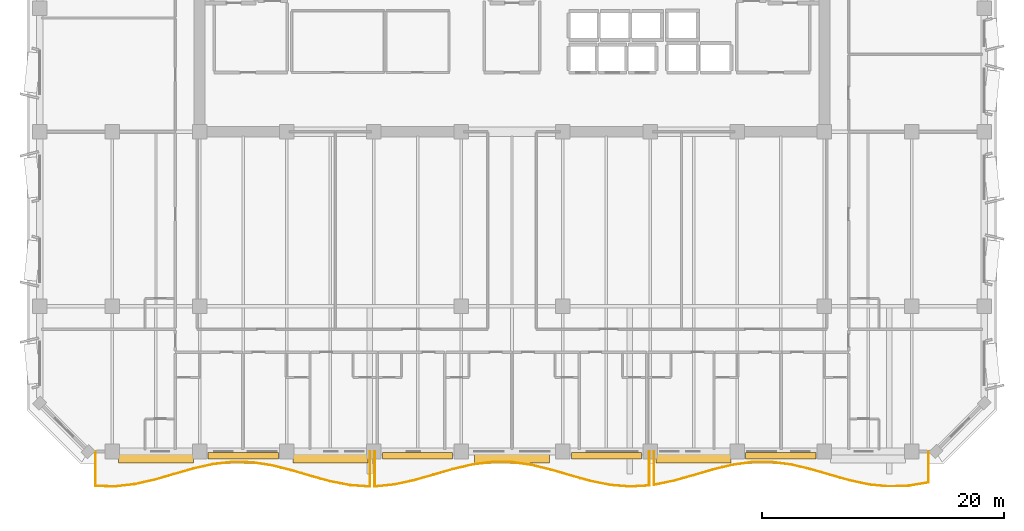
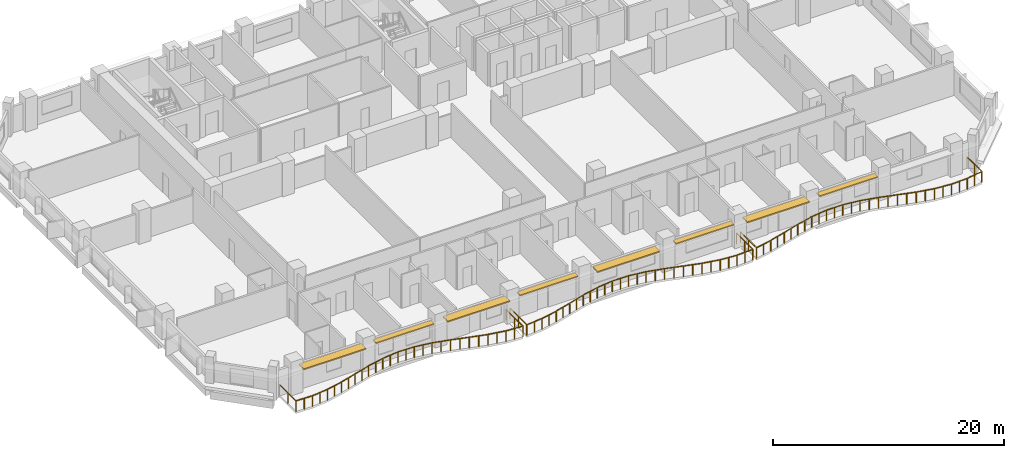
# One storey, part 11 of 15: 8 shading devices, 3 railings.
"""IFC4 building model written with IfcOpenShell, lengths in metres."""

from ifc_helpers import new_model, si_unit, direction, frame, origin, origin_2d, place, context, subcontext, project, spatial, rectangle, extrude, material, layer, layer_set, type_object, element, save


model = new_model("IFC4")

# Units and contexts
model_context = context("Model", 3, precision=1e-05, world=origin(), true_north=direction((0.0, 1.0)))
body_context = subcontext(model_context, "Body", "Model", "MODEL_VIEW")
ifc_project = project(units=[si_unit("LENGTHUNIT", "METRE"), si_unit("AREAUNIT", "SQUARE_METRE"), si_unit("VOLUMEUNIT", "CUBIC_METRE"), si_unit("PLANEANGLEUNIT", "RADIAN"), si_unit("MASSUNIT", "GRAM", prefix="KILO")], contexts=[model_context])

# Site, building, storey
site_placement = place(None, origin())
site = spatial("IfcSite", under=ifc_project, at=site_placement, CompositionType="ELEMENT")
building_placement = place(site_placement, origin())
building = spatial("IfcBuilding", under=site, at=building_placement, Name="Kaelvorn Grand Hotel", CompositionType="ELEMENT")
storey_placement = place(building_placement, frame((0.0, 0.0, 146.75)))
storey = spatial("IfcBuildingStorey", under=building, at=storey_placement, Name="L35", CompositionType="ELEMENT", Elevation=146.75)

# Railings
ifc_material_1 = material(Name="Stainless Steel", Category="steel")
railing_type = type_object("IfcRailingType", Name="RL-BALC-1150", PredefinedType="BALUSTRADE", material=ifc_material_1)
railing_1_placement = place(storey_placement, frame((7.60009765625, 3.0, 0.0)))
element("IfcRailing", 1, at=railing_1_placement, inside=storey, type_object=railing_type, Name="L35 Scalloped Wave Balcony Balustrade GR1-1", PredefinedType="BALUSTRADE", context=body_context, shape_type="SweptSolid", body=[
    extrude(rectangle(XDim=0.048095703125, YDim=0.048095703125, at=origin_2d()), frame((0.0, 0.0, 1.1259765625), z_axis=(0.0, -1.0, 0.0), x_axis=(1.0, 0.0, 0.0)), (0.0, 0.0, 1.0), 2.849853515625),
    extrude(rectangle(XDim=0.048095703125, YDim=0.048095703125, at=origin_2d()), frame((0.0, -2.849853515625, 1.1259765625), z_axis=(0.999730426156, -0.023217989086, 0.0), x_axis=(0.023217989086, 0.999730426156, 0.0)), (0.0, 0.0, 1.0), 1.619384765625),
    extrude(rectangle(XDim=0.048095703125, YDim=0.048095703125, at=origin_2d()), frame((1.618896484375, -2.887451171875, 1.1259765625), z_axis=(0.993682951912, 0.112223843634, 0.0), x_axis=(-0.112223843634, 0.993682951912, 0.0)), (0.0, 0.0, 1.0), 1.62939453125),
    extrude(rectangle(XDim=0.048095703125, YDim=0.048095703125, at=origin_2d()), frame((3.238037109375, -2.70458984375, 1.1259765625), z_axis=(0.975703414812, 0.219095518723, 0.0), x_axis=(-0.219095518723, 0.975703414812, 0.0)), (0.0, 0.0, 1.0), 1.6591796875),
    extrude(rectangle(XDim=0.048095703125, YDim=0.048095703125, at=origin_2d()), frame((4.85693359375, -2.341064453125, 1.1259765625), z_axis=(0.961173148549, 0.275945970271, 0.0), x_axis=(-0.275945970271, 0.961173148549, 0.0)), (0.0, 0.0, 1.0), 1.6845703125),
    extrude(rectangle(XDim=0.048095703125, YDim=0.048095703125, at=origin_2d()), frame((6.47607421875, -1.876220703125, 1.1259765625), z_axis=(0.961096237506, 0.276213725676, 0.0), x_axis=(-0.276213725676, 0.961096237506, 0.0)), (0.0, 0.0, 1.0), 1.6845703125),
    extrude(rectangle(XDim=0.048095703125, YDim=0.048095703125, at=origin_2d()), frame((8.09521484375, -1.410888671875, 1.1259765625), z_axis=(0.975640468592, 0.219375650531, 0.0), x_axis=(-0.219375650531, 0.975640468592, 0.0)), (0.0, 0.0, 1.0), 1.659423828125),
    extrude(rectangle(XDim=0.048095703125, YDim=0.048095703125, at=origin_2d()), frame((9.714111328125, -1.046875, 1.1259765625), z_axis=(0.993615946407, 0.112815562069, 0.0), x_axis=(-0.112815562069, 0.993615946407, 0.0)), (0.0, 0.0, 1.0), 1.629638671875),
    extrude(rectangle(XDim=0.048095703125, YDim=0.048095703125, at=origin_2d()), frame((11.333251953125, -0.863037109375, 1.1259765625), z_axis=(0.999747716334, -0.022461159489, 0.0), x_axis=(0.022461159489, 0.999747716334, 0.0)), (0.0, 0.0, 1.0), 1.61962890625),
    extrude(rectangle(XDim=0.048095703125, YDim=0.048095703125, at=origin_2d()), frame((12.952392578125, -0.8994140625, 1.1259765625), z_axis=(0.988375143725, -0.152034783079, 0.0), x_axis=(0.152034783079, 0.988375143725, 0.0)), (0.0, 0.0, 1.0), 1.637939453125),
    extrude(rectangle(XDim=0.048095703125, YDim=0.048095703125, at=origin_2d()), frame((14.5712890625, -1.1484375, 1.1259765625), z_axis=(0.969797453299, -0.243911663465, 0.0), x_axis=(0.243911663465, 0.969797453299, 0.0)), (0.0, 0.0, 1.0), 1.669677734375),
    extrude(rectangle(XDim=0.048095703125, YDim=0.048095703125, at=origin_2d()), frame((16.1904296875, -1.5556640625, 1.1259765625), z_axis=(0.959298669037, -0.28239345528, 0.0), x_axis=(0.28239345528, 0.959298669037, 0.0)), (0.0, 0.0, 1.0), 1.6875),
    extrude(rectangle(XDim=0.048095703125, YDim=0.048095703125, at=origin_2d()), frame((17.809326171875, -2.0322265625, 1.1259765625), z_axis=(0.964642881797, -0.26356044961, 0.0), x_axis=(0.26356044961, 0.964642881797, 0.0)), (0.0, 0.0, 1.0), 1.678466796875),
    extrude(rectangle(XDim=0.048095703125, YDim=0.048095703125, at=origin_2d()), frame((19.428466796875, -2.474609375, 1.1259765625), z_axis=(0.981934563665, -0.189220804036, 0.0), x_axis=(0.189220804036, 0.981934563665, 0.0)), (0.0, 0.0, 1.0), 1.64892578125),
    extrude(rectangle(XDim=0.048095703125, YDim=0.048095703125, at=origin_2d()), frame((21.047607421875, -2.78662109375, 1.1259765625), z_axis=(0.997560748311, -0.069803677758, 0.0), x_axis=(0.069803677758, 0.997560748311, 0.0)), (0.0, 0.0, 1.0), 1.622802734375),
    extrude(rectangle(XDim=0.048095703125, YDim=0.048095703125, at=origin_2d()), frame((22.66650390625, -2.89990234375, 1.1259765625), z_axis=(0.0, 1.0, 0.0), x_axis=(-1.0, 0.0, 0.0)), (0.0, 0.0, 1.0), 2.89990234375),
    extrude(rectangle(XDim=0.0419921875, YDim=0.0419921875, at=origin_2d()), origin(), (0.0, 0.0, 1.0), 1.101806640625),
    extrude(rectangle(XDim=0.0419921875, YDim=0.0419921875, at=origin_2d()), frame((0.0, -1.4248046875, 0.0)), (0.0, 0.0, 1.0), 1.101806640625),
    extrude(rectangle(XDim=0.0419921875, YDim=0.0419921875, at=origin_2d()), frame((0.0, -2.849853515625, 0.0)), (0.0, 0.0, 1.0), 1.101806640625),
    extrude(rectangle(XDim=0.0419921875, YDim=0.0419921875, at=origin_2d()), frame((0.8095703125, -2.86865234375, 0.0)), (0.0, 0.0, 1.0), 1.101806640625),
    extrude(rectangle(XDim=0.0419921875, YDim=0.0419921875, at=origin_2d()), frame((1.618896484375, -2.887451171875, 0.0)), (0.0, 0.0, 1.0), 1.101806640625),
    extrude(rectangle(XDim=0.0419921875, YDim=0.0419921875, at=origin_2d()), frame((2.428466796875, -2.7958984375, 0.0)), (0.0, 0.0, 1.0), 1.101806640625),
    extrude(rectangle(XDim=0.0419921875, YDim=0.0419921875, at=origin_2d()), frame((3.238037109375, -2.70458984375, 0.0)), (0.0, 0.0, 1.0), 1.101806640625),
    extrude(rectangle(XDim=0.0419921875, YDim=0.0419921875, at=origin_2d()), frame((4.04736328125, -2.52294921875, 0.0)), (0.0, 0.0, 1.0), 1.101806640625),
    extrude(rectangle(XDim=0.0419921875, YDim=0.0419921875, at=origin_2d()), frame((4.85693359375, -2.341064453125, 0.0)), (0.0, 0.0, 1.0), 1.101806640625),
    extrude(rectangle(XDim=0.0419921875, YDim=0.0419921875, at=origin_2d()), frame((5.66650390625, -2.108642578125, 0.0)), (0.0, 0.0, 1.0), 1.101806640625),
    extrude(rectangle(XDim=0.0419921875, YDim=0.0419921875, at=origin_2d()), frame((6.47607421875, -1.876220703125, 0.0)), (0.0, 0.0, 1.0), 1.101806640625),
    extrude(rectangle(XDim=0.0419921875, YDim=0.0419921875, at=origin_2d()), frame((7.28564453125, -1.6435546875, 0.0)), (0.0, 0.0, 1.0), 1.101806640625),
    extrude(rectangle(XDim=0.0419921875, YDim=0.0419921875, at=origin_2d()), frame((8.09521484375, -1.410888671875, 0.0)), (0.0, 0.0, 1.0), 1.101806640625),
    extrude(rectangle(XDim=0.0419921875, YDim=0.0419921875, at=origin_2d()), frame((8.90478515625, -1.22900390625, 0.0)), (0.0, 0.0, 1.0), 1.101806640625),
    extrude(rectangle(XDim=0.0419921875, YDim=0.0419921875, at=origin_2d()), frame((9.714111328125, -1.046875, 0.0)), (0.0, 0.0, 1.0), 1.101806640625),
    extrude(rectangle(XDim=0.0419921875, YDim=0.0419921875, at=origin_2d()), frame((10.523681640625, -0.955078125, 0.0)), (0.0, 0.0, 1.0), 1.101806640625),
    extrude(rectangle(XDim=0.0419921875, YDim=0.0419921875, at=origin_2d()), frame((11.333251953125, -0.863037109375, 0.0)), (0.0, 0.0, 1.0), 1.101806640625),
    extrude(rectangle(XDim=0.0419921875, YDim=0.0419921875, at=origin_2d()), frame((12.142822265625, -0.88134765625, 0.0)), (0.0, 0.0, 1.0), 1.101806640625),
    extrude(rectangle(XDim=0.0419921875, YDim=0.0419921875, at=origin_2d()), frame((12.952392578125, -0.8994140625, 0.0)), (0.0, 0.0, 1.0), 1.101806640625),
    extrude(rectangle(XDim=0.0419921875, YDim=0.0419921875, at=origin_2d()), frame((13.76171875, -1.02392578125, 0.0)), (0.0, 0.0, 1.0), 1.101806640625),
    extrude(rectangle(XDim=0.0419921875, YDim=0.0419921875, at=origin_2d()), frame((14.5712890625, -1.1484375, 0.0)), (0.0, 0.0, 1.0), 1.101806640625),
    extrude(rectangle(XDim=0.0419921875, YDim=0.0419921875, at=origin_2d()), frame((15.380859375, -1.35205078125, 0.0)), (0.0, 0.0, 1.0), 1.101806640625),
    extrude(rectangle(XDim=0.0419921875, YDim=0.0419921875, at=origin_2d()), frame((16.1904296875, -1.5556640625, 0.0)), (0.0, 0.0, 1.0), 1.101806640625),
    extrude(rectangle(XDim=0.0419921875, YDim=0.0419921875, at=origin_2d()), frame((17.0, -1.7939453125, 0.0)), (0.0, 0.0, 1.0), 1.101806640625),
    extrude(rectangle(XDim=0.0419921875, YDim=0.0419921875, at=origin_2d()), frame((17.809326171875, -2.0322265625, 0.0)), (0.0, 0.0, 1.0), 1.101806640625),
    extrude(rectangle(XDim=0.0419921875, YDim=0.0419921875, at=origin_2d()), frame((18.618896484375, -2.25341796875, 0.0)), (0.0, 0.0, 1.0), 1.101806640625),
    extrude(rectangle(XDim=0.0419921875, YDim=0.0419921875, at=origin_2d()), frame((19.428466796875, -2.474609375, 0.0)), (0.0, 0.0, 1.0), 1.101806640625),
    extrude(rectangle(XDim=0.0419921875, YDim=0.0419921875, at=origin_2d()), frame((20.238037109375, -2.630615234375, 0.0)), (0.0, 0.0, 1.0), 1.101806640625),
    extrude(rectangle(XDim=0.0419921875, YDim=0.0419921875, at=origin_2d()), frame((21.047607421875, -2.78662109375, 0.0)), (0.0, 0.0, 1.0), 1.101806640625),
    extrude(rectangle(XDim=0.0419921875, YDim=0.0419921875, at=origin_2d()), frame((21.85693359375, -2.84326171875, 0.0)), (0.0, 0.0, 1.0), 1.101806640625),
    extrude(rectangle(XDim=0.0419921875, YDim=0.0419921875, at=origin_2d()), frame((22.66650390625, -2.89990234375, 0.0)), (0.0, 0.0, 1.0), 1.101806640625),
    extrude(rectangle(XDim=0.0419921875, YDim=0.0419921875, at=origin_2d()), frame((22.66650390625, -1.449951171875, 0.0)), (0.0, 0.0, 1.0), 1.101806640625),
    extrude(rectangle(XDim=0.0419921875, YDim=0.0419921875, at=origin_2d()), frame((22.66650390625, 0.0, 0.0)), (0.0, 0.0, 1.0), 1.101806640625),
])
railing_2_placement = place(storey_placement, frame((30.666748046875, 3.0, 0.0)))
element("IfcRailing", 2, at=railing_2_placement, inside=storey, type_object=railing_type, Name="L35 Scalloped Wave Balcony Balustrade GR1-2", PredefinedType="BALUSTRADE", context=body_context, shape_type="SweptSolid", body=[
    extrude(rectangle(XDim=0.048095703125, YDim=0.048095703125, at=origin_2d()), frame((0.0, 0.0, 1.1259765625), z_axis=(0.0, -1.0, 0.0), x_axis=(1.0, 0.0, 0.0)), (0.0, 0.0, 1.0), 2.8935546875),
    extrude(rectangle(XDim=0.048095703125, YDim=0.048095703125, at=origin_2d()), frame((0.0, -2.8935546875, 1.1259765625), z_axis=(0.994964128671, 0.100231644994, 0.0), x_axis=(-0.100231644994, 0.994964128671, 0.0)), (0.0, 0.0, 1.0), 1.627197265625),
    extrude(rectangle(XDim=0.048095703125, YDim=0.048095703125, at=origin_2d()), frame((1.618896484375, -2.73046875, 1.1259765625), z_axis=(0.977503767455, 0.210917957061, 0.0), x_axis=(-0.210917957061, 0.977503767455, 0.0)), (0.0, 0.0, 1.0), 1.656494140625),
    extrude(rectangle(XDim=0.048095703125, YDim=0.048095703125, at=origin_2d()), frame((3.238037109375, -2.381103515625, 1.1259765625), z_axis=(0.962015046514, 0.272996429062, 0.0), x_axis=(-0.272996429062, 0.962015046514, 0.0)), (0.0, 0.0, 1.0), 1.68310546875),
    extrude(rectangle(XDim=0.048095703125, YDim=0.048095703125, at=origin_2d()), frame((4.857177734375, -1.921630859375, 1.1259765625), z_axis=(0.960389998509, 0.278659381259, 0.0), x_axis=(-0.278659381259, 0.960389998509, 0.0)), (0.0, 0.0, 1.0), 1.685546875),
    extrude(rectangle(XDim=0.048095703125, YDim=0.048095703125, at=origin_2d()), frame((6.47607421875, -1.451904296875, 1.1259765625), z_axis=(0.97385637145, 0.227164627056, 0.0), x_axis=(-0.227164627056, 0.97385637145, 0.0)), (0.0, 0.0, 1.0), 1.66259765625),
    extrude(rectangle(XDim=0.048095703125, YDim=0.048095703125, at=origin_2d()), frame((8.09521484375, -1.07421875, 1.1259765625), z_axis=(0.992220218526, 0.124495132229, 0.0), x_axis=(-0.124495132229, 0.992220218526, 0.0)), (0.0, 0.0, 1.0), 1.631591796875),
    extrude(rectangle(XDim=0.048095703125, YDim=0.048095703125, at=origin_2d()), frame((9.714111328125, -0.87109375, 1.1259765625), z_axis=(0.999954883783, -0.009498968287, 0.0), x_axis=(0.009498968287, 0.999954883783, 0.0)), (0.0, 0.0, 1.0), 1.619140625),
    extrude(rectangle(XDim=0.048095703125, YDim=0.048095703125, at=origin_2d()), frame((11.333251953125, -0.886474609375, 1.1259765625), z_axis=(0.990000183839, -0.141066069621, 0.0), x_axis=(0.141066069621, 0.990000183839, 0.0)), (0.0, 0.0, 1.0), 1.635498046875),
    extrude(rectangle(XDim=0.048095703125, YDim=0.048095703125, at=origin_2d()), frame((12.952392578125, -1.1171875, 1.1259765625), z_axis=(0.971429786171, -0.237327138229, 0.0), x_axis=(0.237327138229, 0.971429786171, 0.0)), (0.0, 0.0, 1.0), 1.66650390625),
    extrude(rectangle(XDim=0.048095703125, YDim=0.048095703125, at=origin_2d()), frame((14.5712890625, -1.5126953125, 1.1259765625), z_axis=(0.959623156728, -0.281288814337, 0.0), x_axis=(0.281288814337, 0.959623156728, 0.0)), (0.0, 0.0, 1.0), 1.687255859375),
    extrude(rectangle(XDim=0.048095703125, YDim=0.048095703125, at=origin_2d()), frame((16.1904296875, -1.9873046875, 1.1259765625), z_axis=(0.963478347778, -0.267786245657, 0.0), x_axis=(0.267786245657, 0.963478347778, 0.0)), (0.0, 0.0, 1.0), 1.68017578125),
    extrude(rectangle(XDim=0.048095703125, YDim=0.048095703125, at=origin_2d()), frame((17.809326171875, -2.437255859375, 1.1259765625), z_axis=(0.980134803691, -0.1983324648, 0.0), x_axis=(0.1983324648, 0.980134803691, 0.0)), (0.0, 0.0, 1.0), 1.65185546875),
    extrude(rectangle(XDim=0.048095703125, YDim=0.048095703125, at=origin_2d()), frame((19.428466796875, -2.764892578125, 1.1259765625), z_axis=(0.996591207216, -0.082498276954, 0.0), x_axis=(0.082498276954, 0.996591207216, 0.0)), (0.0, 0.0, 1.0), 1.624755859375),
    extrude(rectangle(XDim=0.048095703125, YDim=0.048095703125, at=origin_2d()), frame((21.047607421875, -2.89892578125, 1.1259765625), z_axis=(0.998488486101, 0.054961287502, 0.0), x_axis=(-0.054961287502, 0.998488486101, 0.0)), (0.0, 0.0, 1.0), 1.621337890625),
    extrude(rectangle(XDim=0.048095703125, YDim=0.048095703125, at=origin_2d()), frame((22.66650390625, -2.809814453125, 1.1259765625), z_axis=(0.0, 1.0, 0.0), x_axis=(-1.0, 0.0, 0.0)), (0.0, 0.0, 1.0), 2.809814453125),
    extrude(rectangle(XDim=0.0419921875, YDim=0.0419921875, at=origin_2d()), origin(), (0.0, 0.0, 1.0), 1.101806640625),
    extrude(rectangle(XDim=0.0419921875, YDim=0.0419921875, at=origin_2d()), frame((0.0, -1.44677734375, 0.0)), (0.0, 0.0, 1.0), 1.101806640625),
    extrude(rectangle(XDim=0.0419921875, YDim=0.0419921875, at=origin_2d()), frame((0.0, -2.8935546875, 0.0)), (0.0, 0.0, 1.0), 1.101806640625),
    extrude(rectangle(XDim=0.0419921875, YDim=0.0419921875, at=origin_2d()), frame((0.8095703125, -2.81201171875, 0.0)), (0.0, 0.0, 1.0), 1.101806640625),
    extrude(rectangle(XDim=0.0419921875, YDim=0.0419921875, at=origin_2d()), frame((1.618896484375, -2.73046875, 0.0)), (0.0, 0.0, 1.0), 1.101806640625),
    extrude(rectangle(XDim=0.0419921875, YDim=0.0419921875, at=origin_2d()), frame((2.428466796875, -2.5556640625, 0.0)), (0.0, 0.0, 1.0), 1.101806640625),
    extrude(rectangle(XDim=0.0419921875, YDim=0.0419921875, at=origin_2d()), frame((3.238037109375, -2.381103515625, 0.0)), (0.0, 0.0, 1.0), 1.101806640625),
    extrude(rectangle(XDim=0.0419921875, YDim=0.0419921875, at=origin_2d()), frame((4.047607421875, -2.1513671875, 0.0)), (0.0, 0.0, 1.0), 1.101806640625),
    extrude(rectangle(XDim=0.0419921875, YDim=0.0419921875, at=origin_2d()), frame((4.857177734375, -1.921630859375, 0.0)), (0.0, 0.0, 1.0), 1.101806640625),
    extrude(rectangle(XDim=0.0419921875, YDim=0.0419921875, at=origin_2d()), frame((5.66650390625, -1.686767578125, 0.0)), (0.0, 0.0, 1.0), 1.101806640625),
    extrude(rectangle(XDim=0.0419921875, YDim=0.0419921875, at=origin_2d()), frame((6.47607421875, -1.451904296875, 0.0)), (0.0, 0.0, 1.0), 1.101806640625),
    extrude(rectangle(XDim=0.0419921875, YDim=0.0419921875, at=origin_2d()), frame((7.28564453125, -1.26318359375, 0.0)), (0.0, 0.0, 1.0), 1.101806640625),
    extrude(rectangle(XDim=0.0419921875, YDim=0.0419921875, at=origin_2d()), frame((8.09521484375, -1.07421875, 0.0)), (0.0, 0.0, 1.0), 1.101806640625),
    extrude(rectangle(XDim=0.0419921875, YDim=0.0419921875, at=origin_2d()), frame((8.90478515625, -0.97265625, 0.0)), (0.0, 0.0, 1.0), 1.101806640625),
    extrude(rectangle(XDim=0.0419921875, YDim=0.0419921875, at=origin_2d()), frame((9.714111328125, -0.87109375, 0.0)), (0.0, 0.0, 1.0), 1.101806640625),
    extrude(rectangle(XDim=0.0419921875, YDim=0.0419921875, at=origin_2d()), frame((10.523681640625, -0.87890625, 0.0)), (0.0, 0.0, 1.0), 1.101806640625),
    extrude(rectangle(XDim=0.0419921875, YDim=0.0419921875, at=origin_2d()), frame((11.333251953125, -0.886474609375, 0.0)), (0.0, 0.0, 1.0), 1.101806640625),
    extrude(rectangle(XDim=0.0419921875, YDim=0.0419921875, at=origin_2d()), frame((12.142822265625, -1.001953125, 0.0)), (0.0, 0.0, 1.0), 1.101806640625),
    extrude(rectangle(XDim=0.0419921875, YDim=0.0419921875, at=origin_2d()), frame((12.952392578125, -1.1171875, 0.0)), (0.0, 0.0, 1.0), 1.101806640625),
    extrude(rectangle(XDim=0.0419921875, YDim=0.0419921875, at=origin_2d()), frame((13.76171875, -1.31494140625, 0.0)), (0.0, 0.0, 1.0), 1.101806640625),
    extrude(rectangle(XDim=0.0419921875, YDim=0.0419921875, at=origin_2d()), frame((14.5712890625, -1.5126953125, 0.0)), (0.0, 0.0, 1.0), 1.101806640625),
    extrude(rectangle(XDim=0.0419921875, YDim=0.0419921875, at=origin_2d()), frame((15.380859375, -1.75, 0.0)), (0.0, 0.0, 1.0), 1.101806640625),
    extrude(rectangle(XDim=0.0419921875, YDim=0.0419921875, at=origin_2d()), frame((16.1904296875, -1.9873046875, 0.0)), (0.0, 0.0, 1.0), 1.101806640625),
    extrude(rectangle(XDim=0.0419921875, YDim=0.0419921875, at=origin_2d()), frame((17.0, -2.21240234375, 0.0)), (0.0, 0.0, 1.0), 1.101806640625),
    extrude(rectangle(XDim=0.0419921875, YDim=0.0419921875, at=origin_2d()), frame((17.809326171875, -2.437255859375, 0.0)), (0.0, 0.0, 1.0), 1.101806640625),
    extrude(rectangle(XDim=0.0419921875, YDim=0.0419921875, at=origin_2d()), frame((18.618896484375, -2.60107421875, 0.0)), (0.0, 0.0, 1.0), 1.101806640625),
    extrude(rectangle(XDim=0.0419921875, YDim=0.0419921875, at=origin_2d()), frame((19.428466796875, -2.764892578125, 0.0)), (0.0, 0.0, 1.0), 1.101806640625),
    extrude(rectangle(XDim=0.0419921875, YDim=0.0419921875, at=origin_2d()), frame((20.238037109375, -2.83203125, 0.0)), (0.0, 0.0, 1.0), 1.101806640625),
    extrude(rectangle(XDim=0.0419921875, YDim=0.0419921875, at=origin_2d()), frame((21.047607421875, -2.89892578125, 0.0)), (0.0, 0.0, 1.0), 1.101806640625),
    extrude(rectangle(XDim=0.0419921875, YDim=0.0419921875, at=origin_2d()), frame((21.85693359375, -2.8544921875, 0.0)), (0.0, 0.0, 1.0), 1.101806640625),
    extrude(rectangle(XDim=0.0419921875, YDim=0.0419921875, at=origin_2d()), frame((22.66650390625, -2.809814453125, 0.0)), (0.0, 0.0, 1.0), 1.101806640625),
    extrude(rectangle(XDim=0.0419921875, YDim=0.0419921875, at=origin_2d()), frame((22.66650390625, -1.40478515625, 0.0)), (0.0, 0.0, 1.0), 1.101806640625),
    extrude(rectangle(XDim=0.0419921875, YDim=0.0419921875, at=origin_2d()), frame((22.66650390625, 0.0, 0.0)), (0.0, 0.0, 1.0), 1.101806640625),
])
railing_3_placement = place(storey_placement, frame((53.7333984375, 3.0, 0.0)))
element("IfcRailing", 3, at=railing_3_placement, inside=storey, type_object=railing_type, Name="L35 Scalloped Wave Balcony Balustrade GR1-3", PredefinedType="BALUSTRADE", context=body_context, shape_type="SweptSolid", body=[
    extrude(rectangle(XDim=0.048095703125, YDim=0.048095703125, at=origin_2d()), frame((0.0, 0.0, 1.1259765625), z_axis=(0.0, -1.0, 0.0), x_axis=(1.0, 0.0, 0.0)), (0.0, 0.0, 1.0), 2.754638671875),
    extrude(rectangle(XDim=0.048095703125, YDim=0.048095703125, at=origin_2d()), frame((0.0, -2.754638671875, 1.1259765625), z_axis=(0.979316964053, 0.202332112917, 0.0), x_axis=(-0.202332112917, 0.979316964053, 0.0)), (0.0, 0.0, 1.0), 1.653076171875),
    extrude(rectangle(XDim=0.048095703125, YDim=0.048095703125, at=origin_2d()), frame((1.618896484375, -2.420166015625, 1.1259765625), z_axis=(0.962962511693, 0.269635311251, 0.0), x_axis=(-0.269635311251, 0.962962511693, 0.0)), (0.0, 0.0, 1.0), 1.681396484375),
    extrude(rectangle(XDim=0.048095703125, YDim=0.048095703125, at=origin_2d()), frame((3.238037109375, -1.966796875, 1.1259765625), z_axis=(0.959857228362, 0.280489039289, 0.0), x_axis=(-0.280489039289, 0.959857228362, 0.0)), (0.0, 0.0, 1.0), 1.686767578125),
    extrude(rectangle(XDim=0.048095703125, YDim=0.048095703125, at=origin_2d()), frame((4.857177734375, -1.49365234375, 1.1259765625), z_axis=(0.972168625769, 0.234282229525, 0.0), x_axis=(-0.234282229525, 0.972168625769, 0.0)), (0.0, 0.0, 1.0), 1.665283203125),
    extrude(rectangle(XDim=0.048095703125, YDim=0.048095703125, at=origin_2d()), frame((6.47607421875, -1.103515625, 1.1259765625), z_axis=(0.99071710319, 0.135939771397, 0.0), x_axis=(-0.135939771397, 0.99071710319, 0.0)), (0.0, 0.0, 1.0), 1.63427734375),
    extrude(rectangle(XDim=0.048095703125, YDim=0.048095703125, at=origin_2d()), frame((8.09521484375, -0.88134765625, 1.1259765625), z_axis=(0.999993450168, 0.003619339889, 0.0), x_axis=(-0.003619339889, 0.999993450168, 0.0)), (0.0, 0.0, 1.0), 1.618896484375),
    extrude(rectangle(XDim=0.048095703125, YDim=0.048095703125, at=origin_2d()), frame((9.714111328125, -0.87548828125, 1.1259765625), z_axis=(0.991562852546, -0.129626808377, 0.0), x_axis=(0.129626808377, 0.991562852546, 0.0)), (0.0, 0.0, 1.0), 1.6328125),
    extrude(rectangle(XDim=0.048095703125, YDim=0.048095703125, at=origin_2d()), frame((11.333251953125, -1.087158203125, 1.1259765625), z_axis=(0.973071627699, -0.230502944378, 0.0), x_axis=(0.230502944378, 0.973071627699, 0.0)), (0.0, 0.0, 1.0), 1.6640625),
    extrude(rectangle(XDim=0.048095703125, YDim=0.048095703125, at=origin_2d()), frame((12.952392578125, -1.470703125, 1.1259765625), z_axis=(0.960157157306, -0.279460611311, 0.0), x_axis=(0.279460611311, 0.960157157306, 0.0)), (0.0, 0.0, 1.0), 1.68603515625),
    extrude(rectangle(XDim=0.048095703125, YDim=0.048095703125, at=origin_2d()), frame((14.5712890625, -1.94189453125, 1.1259765625), z_axis=(0.962433147184, -0.271518760311, 0.0), x_axis=(0.271518760311, 0.962433147184, 0.0)), (0.0, 0.0, 1.0), 1.682373046875),
    extrude(rectangle(XDim=0.048095703125, YDim=0.048095703125, at=origin_2d()), frame((16.1904296875, -2.398681640625, 1.1259765625), z_axis=(0.978317525264, -0.207110646181, 0.0), x_axis=(0.207110646181, 0.978317525264, 0.0)), (0.0, 0.0, 1.0), 1.655029296875),
    extrude(rectangle(XDim=0.048095703125, YDim=0.048095703125, at=origin_2d()), frame((17.8095703125, -2.741455078125, 1.1259765625), z_axis=(0.995502891633, -0.094731160401, 0.0), x_axis=(0.094731160401, 0.995502891633, 0.0)), (0.0, 0.0, 1.0), 1.626220703125),
    extrude(rectangle(XDim=0.048095703125, YDim=0.048095703125, at=origin_2d()), frame((19.428466796875, -2.8955078125, 1.1259765625), z_axis=(0.999116282636, 0.042031580648, 0.0), x_axis=(-0.042031580648, 0.999116282636, 0.0)), (0.0, 0.0, 1.0), 1.62060546875),
    extrude(rectangle(XDim=0.048095703125, YDim=0.048095703125, at=origin_2d()), frame((21.047607421875, -2.827392578125, 1.1259765625), z_axis=(0.985837909177, 0.167700974446, 0.0), x_axis=(-0.167700974446, 0.985837909177, 0.0)), (0.0, 0.0, 1.0), 1.64208984375),
    extrude(rectangle(XDim=0.048095703125, YDim=0.048095703125, at=origin_2d()), frame((22.66650390625, -2.552001953125, 1.1259765625), z_axis=(0.0, 1.0, 0.0), x_axis=(-1.0, 0.0, 0.0)), (0.0, 0.0, 1.0), 2.552001953125),
    extrude(rectangle(XDim=0.0419921875, YDim=0.0419921875, at=origin_2d()), origin(), (0.0, 0.0, 1.0), 1.101806640625),
    extrude(rectangle(XDim=0.0419921875, YDim=0.0419921875, at=origin_2d()), frame((0.0, -1.37744140625, 0.0)), (0.0, 0.0, 1.0), 1.101806640625),
    extrude(rectangle(XDim=0.0419921875, YDim=0.0419921875, at=origin_2d()), frame((0.0, -2.754638671875, 0.0)), (0.0, 0.0, 1.0), 1.101806640625),
    extrude(rectangle(XDim=0.0419921875, YDim=0.0419921875, at=origin_2d()), frame((0.8095703125, -2.58740234375, 0.0)), (0.0, 0.0, 1.0), 1.101806640625),
    extrude(rectangle(XDim=0.0419921875, YDim=0.0419921875, at=origin_2d()), frame((1.618896484375, -2.420166015625, 0.0)), (0.0, 0.0, 1.0), 1.101806640625),
    extrude(rectangle(XDim=0.0419921875, YDim=0.0419921875, at=origin_2d()), frame((2.428466796875, -2.193359375, 0.0)), (0.0, 0.0, 1.0), 1.101806640625),
    extrude(rectangle(XDim=0.0419921875, YDim=0.0419921875, at=origin_2d()), frame((3.238037109375, -1.966796875, 0.0)), (0.0, 0.0, 1.0), 1.101806640625),
    extrude(rectangle(XDim=0.0419921875, YDim=0.0419921875, at=origin_2d()), frame((4.047607421875, -1.730224609375, 0.0)), (0.0, 0.0, 1.0), 1.101806640625),
    extrude(rectangle(XDim=0.0419921875, YDim=0.0419921875, at=origin_2d()), frame((4.857177734375, -1.49365234375, 0.0)), (0.0, 0.0, 1.0), 1.101806640625),
    extrude(rectangle(XDim=0.0419921875, YDim=0.0419921875, at=origin_2d()), frame((5.66650390625, -1.298583984375, 0.0)), (0.0, 0.0, 1.0), 1.101806640625),
    extrude(rectangle(XDim=0.0419921875, YDim=0.0419921875, at=origin_2d()), frame((6.47607421875, -1.103515625, 0.0)), (0.0, 0.0, 1.0), 1.101806640625),
    extrude(rectangle(XDim=0.0419921875, YDim=0.0419921875, at=origin_2d()), frame((7.28564453125, -0.992431640625, 0.0)), (0.0, 0.0, 1.0), 1.101806640625),
    extrude(rectangle(XDim=0.0419921875, YDim=0.0419921875, at=origin_2d()), frame((8.09521484375, -0.88134765625, 0.0)), (0.0, 0.0, 1.0), 1.101806640625),
    extrude(rectangle(XDim=0.0419921875, YDim=0.0419921875, at=origin_2d()), frame((8.90478515625, -0.87841796875, 0.0)), (0.0, 0.0, 1.0), 1.101806640625),
    extrude(rectangle(XDim=0.0419921875, YDim=0.0419921875, at=origin_2d()), frame((9.714111328125, -0.87548828125, 0.0)), (0.0, 0.0, 1.0), 1.101806640625),
    extrude(rectangle(XDim=0.0419921875, YDim=0.0419921875, at=origin_2d()), frame((10.523681640625, -0.9814453125, 0.0)), (0.0, 0.0, 1.0), 1.101806640625),
    extrude(rectangle(XDim=0.0419921875, YDim=0.0419921875, at=origin_2d()), frame((11.333251953125, -1.087158203125, 0.0)), (0.0, 0.0, 1.0), 1.101806640625),
    extrude(rectangle(XDim=0.0419921875, YDim=0.0419921875, at=origin_2d()), frame((12.142822265625, -1.27880859375, 0.0)), (0.0, 0.0, 1.0), 1.101806640625),
    extrude(rectangle(XDim=0.0419921875, YDim=0.0419921875, at=origin_2d()), frame((12.952392578125, -1.470703125, 0.0)), (0.0, 0.0, 1.0), 1.101806640625),
    extrude(rectangle(XDim=0.0419921875, YDim=0.0419921875, at=origin_2d()), frame((13.76171875, -1.706298828125, 0.0)), (0.0, 0.0, 1.0), 1.101806640625),
    extrude(rectangle(XDim=0.0419921875, YDim=0.0419921875, at=origin_2d()), frame((14.5712890625, -1.94189453125, 0.0)), (0.0, 0.0, 1.0), 1.101806640625),
    extrude(rectangle(XDim=0.0419921875, YDim=0.0419921875, at=origin_2d()), frame((15.380859375, -2.17041015625, 0.0)), (0.0, 0.0, 1.0), 1.101806640625),
    extrude(rectangle(XDim=0.0419921875, YDim=0.0419921875, at=origin_2d()), frame((16.1904296875, -2.398681640625, 0.0)), (0.0, 0.0, 1.0), 1.101806640625),
    extrude(rectangle(XDim=0.0419921875, YDim=0.0419921875, at=origin_2d()), frame((17.0, -2.570068359375, 0.0)), (0.0, 0.0, 1.0), 1.101806640625),
    extrude(rectangle(XDim=0.0419921875, YDim=0.0419921875, at=origin_2d()), frame((17.8095703125, -2.741455078125, 0.0)), (0.0, 0.0, 1.0), 1.101806640625),
    extrude(rectangle(XDim=0.0419921875, YDim=0.0419921875, at=origin_2d()), frame((18.619140625, -2.818359375, 0.0)), (0.0, 0.0, 1.0), 1.101806640625),
    extrude(rectangle(XDim=0.0419921875, YDim=0.0419921875, at=origin_2d()), frame((19.428466796875, -2.8955078125, 0.0)), (0.0, 0.0, 1.0), 1.101806640625),
    extrude(rectangle(XDim=0.0419921875, YDim=0.0419921875, at=origin_2d()), frame((20.238037109375, -2.861328125, 0.0)), (0.0, 0.0, 1.0), 1.101806640625),
    extrude(rectangle(XDim=0.0419921875, YDim=0.0419921875, at=origin_2d()), frame((21.047607421875, -2.827392578125, 0.0)), (0.0, 0.0, 1.0), 1.101806640625),
    extrude(rectangle(XDim=0.0419921875, YDim=0.0419921875, at=origin_2d()), frame((21.85693359375, -2.689697265625, 0.0)), (0.0, 0.0, 1.0), 1.101806640625),
    extrude(rectangle(XDim=0.0419921875, YDim=0.0419921875, at=origin_2d()), frame((22.66650390625, -2.552001953125, 0.0)), (0.0, 0.0, 1.0), 1.101806640625),
    extrude(rectangle(XDim=0.0419921875, YDim=0.0419921875, at=origin_2d()), frame((22.66650390625, -1.27587890625, 0.0)), (0.0, 0.0, 1.0), 1.101806640625),
    extrude(rectangle(XDim=0.0419921875, YDim=0.0419921875, at=origin_2d()), frame((22.66650390625, 0.0, 0.0)), (0.0, 0.0, 1.0), 1.101806640625),
])

# Shading devices
ifc_material_2 = material(Name="Precast concrete C45/55", Category="concrete")
ifc_layer_1 = layer(ifc_material_2, 0.1201171875)
ifc_layer_set_1 = layer_set([ifc_layer_1], Name="Precast concrete C45/55")
shading_device_type_1 = type_object("IfcShadingDeviceType", Name="SHD-SUNSHADE-550", PredefinedType="USERDEFINED", material=ifc_layer_set_1)
for number, where, z_axis, x_axis, name in (
    (4, (19.800048828125, 2.64501953125, 2.56005859375), (0.0, 0.0, 1.0), (1.0, 0.0, 0.0), "L35 Horizontal Concrete Sunshade Band SS-03"),
    (5, (34.199951171875, 2.64501953125, 2.56005859375), (0.0, 0.0, 1.0), (1.0, 0.0, 0.0), "L35 Horizontal Concrete Sunshade Band SS-05"),
    (6, (49.800048828125, 2.64501953125, 2.56005859375), (0.0, 0.0, 1.0), (1.0, 0.0, 0.0), "L35 Horizontal Concrete Sunshade Band SS-07"),
    (7, (64.199951171875, 2.64501953125, 2.56005859375), (0.0, 0.0, 1.0), (1.0, 0.0, 0.0), "L35 Horizontal Concrete Sunshade Band SS-09"),
):
    element("IfcShadingDevice", number, at=place(storey_placement, frame(where, z_axis=z_axis, x_axis=x_axis)), inside=storey, type_object=shading_device_type_1, Name=name, ObjectType="SUNSHADE", PredefinedType="USERDEFINED", context=body_context, shape_type="SweptSolid", body=[
        extrude(rectangle(XDim=5.800048828125, YDim=0.550048828125, at=origin_2d()), origin(), (0.0, 0.0, 1.0), 0.1201171875),
    ])
ifc_layer_2 = layer(ifc_material_2, 0.139892578125)
ifc_layer_set_2 = layer_set([ifc_layer_2], Name="Precast concrete C45/55")
shading_device_type_2 = type_object("IfcShadingDeviceType", Name="SHD-SUNSHADE-850", PredefinedType="USERDEFINED", material=ifc_layer_set_2)
for number, where, z_axis, x_axis, name in (
    (8, (12.60009765625, 2.4951171875, 2.55029296875), (0.0, 0.0, 1.0), (1.0, 0.0, 0.0), "L35 Horizontal Concrete Sunshade Band SS-02"),
    (9, (27.0, 2.4951171875, 2.55029296875), (0.0, 0.0, 1.0), (1.0, 0.0, 0.0), "L35 Horizontal Concrete Sunshade Band SS-04"),
    (10, (42.0, 2.4951171875, 2.55029296875), (0.0, 0.0, 1.0), (1.0, 0.0, 0.0), "L35 Horizontal Concrete Sunshade Band SS-06"),
    (11, (57.0, 2.4951171875, 2.55029296875), (0.0, 0.0, 1.0), (1.0, 0.0, 0.0), "L35 Horizontal Concrete Sunshade Band SS-08"),
):
    element("IfcShadingDevice", number, at=place(storey_placement, frame(where, z_axis=z_axis, x_axis=x_axis)), inside=storey, type_object=shading_device_type_2, Name=name, ObjectType="SUNSHADE", PredefinedType="USERDEFINED", context=body_context, shape_type="SweptSolid", body=[
        extrude(rectangle(XDim=6.199951171875, YDim=0.85009765625, at=origin_2d()), origin(), (0.0, 0.0, 1.0), 0.139892578125),
    ])

save(model, "model.ifc")
